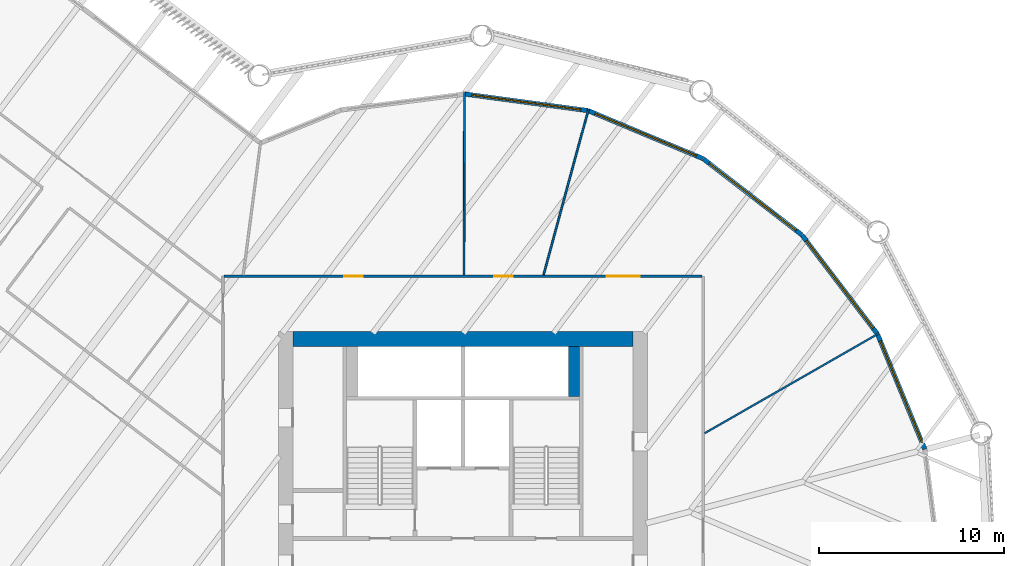
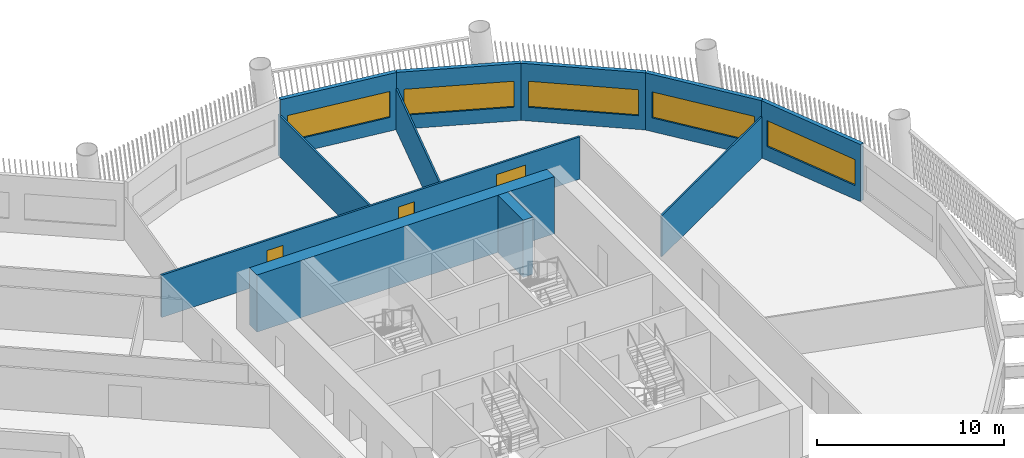
# One storey, part 7 of 16: 11 walls, 5 windows, 3 doors, 8 openings.
"""IFC4 building model written with IfcOpenShell, lengths in metres."""

import ifcopenshell
import ifcopenshell.guid

model = None  # the IFC model being written
_history = None  # IfcOwnerHistory: only IFC2X3 demands one
_inside = {}  # id of a spatial element -> (the spatial element, [elements in it])
_under = {}  # id of a project, library or spatial element -> (it, [spatial elements below it])
_declared = {}  # id of a project -> (the project, [libraries it declares])
_typed = {}  # id of a type object -> (the type object, [elements of that type])
_made_of = {}  # id of a material, layer set ... -> (it, [elements and type objects made of it])


def new_model(schema):
    """Start an empty IFC model of exactly this schema.

    Asked for "IFC4X3", IfcOpenShell would pick the latest addendum, in which some entities
    have other attributes; the version numbers below select the first issue.
    IFC2X3 requires an IfcOwnerHistory on every rooted entity: one is made here for all.
    """
    global model, _history
    if schema == "IFC4X3":
        model = ifcopenshell.file(schema_version=(4, 3, 0, 0))
    else:
        model = ifcopenshell.file(schema=schema)
    _inside.clear()
    _under.clear()
    _declared.clear()
    _typed.clear()
    _made_of.clear()
    _history = None
    if model.schema == "IFC2X3":
        org = make("IfcOrganization", Name="unknown")
        user = make(
            "IfcPersonAndOrganization",
            ThePerson=make("IfcPerson", FamilyName="unknown"),
            TheOrganization=org,
        )
        app = make(
            "IfcApplication",
            ApplicationDeveloper=org,
            Version="unknown",
            ApplicationFullName="unknown",
            ApplicationIdentifier="unknown",
        )
        _history = make(
            "IfcOwnerHistory",
            OwningUser=user,
            OwningApplication=app,
            ChangeAction="ADDED",
            CreationDate=0,
        )
    return model


def make(cls, **values):
    """One entity of the class cls with the attributes given. An attribute that is None is left unset."""
    return model.create_entity(
        cls, **{name: value for name, value in values.items() if value is not None}
    )


def rooted(cls, **values):
    """An entity with a GlobalId (a new one), such as an element, a storey or a relation."""
    return make(cls, GlobalId=ifcopenshell.guid.new(), OwnerHistory=_history, **values)


def si_unit(unit_type, name, prefix=None):
    """IfcSIUnit, for example si_unit("LENGTHUNIT", "METRE", prefix="MILLI")."""
    return make("IfcSIUnit", UnitType=unit_type, Prefix=prefix, Name=name)


def assignment(units):
    """IfcUnitAssignment: the units of a project."""
    return None if units is None else make("IfcUnitAssignment", Units=units)


def point(xyz):
    """IfcCartesianPoint."""
    return None if xyz is None else make("IfcCartesianPoint", Coordinates=xyz)


def direction(xyz):
    """IfcDirection."""
    return None if xyz is None else make("IfcDirection", DirectionRatios=xyz)


def frame(location, z_axis=None, x_axis=None):
    """IfcAxis2Placement3D, a coordinate frame: its origin and axes. An axis left out is left unset."""
    return make(
        "IfcAxis2Placement3D",
        Location=point(location),
        Axis=direction(z_axis),
        RefDirection=direction(x_axis),
    )


def frame_2d(location, x_axis=None):
    """IfcAxis2Placement2D, a coordinate frame in the plane: its origin and x axis."""
    return make(
        "IfcAxis2Placement2D", Location=point(location), RefDirection=direction(x_axis)
    )


def origin():
    """The frame at (0, 0, 0) with its axes left unset."""
    return frame((0.0, 0.0, 0.0))


def place(relative_to, where):
    """IfcLocalPlacement: puts the frame where relative to a parent placement (None: the world)."""
    return make(
        "IfcLocalPlacement", PlacementRelTo=relative_to, RelativePlacement=where
    )


def context(
    kind, dimensions, precision=None, world=None, true_north=None, identifier=None
):
    """IfcGeometricRepresentationContext, for example the 3D "Model" context."""
    return make(
        "IfcGeometricRepresentationContext",
        ContextIdentifier=identifier,
        ContextType=kind,
        CoordinateSpaceDimension=dimensions,
        Precision=precision,
        WorldCoordinateSystem=world,
        TrueNorth=true_north,
    )


def subcontext(parent, identifier, kind, view, scale=None):
    """IfcGeometricRepresentationSubContext, for example "Body" below "Model"."""
    return make(
        "IfcGeometricRepresentationSubContext",
        ContextIdentifier=identifier,
        ContextType=kind,
        ParentContext=parent,
        TargetScale=scale,
        TargetView=view,
    )


def project(units=None, contexts=None):
    """IfcProject with its units and contexts."""
    return rooted(
        "IfcProject",
        Name="project",
        RepresentationContexts=contexts,
        UnitsInContext=assignment(units),
    )


def spatial(cls, under=None, at=None, **own):
    """A site, building, storey or space (cls), placed at a placement, below another one or the project."""
    s = rooted(cls, ObjectPlacement=at, **own)
    if under is not None:
        _under.setdefault(under.id(), (under, []))[1].append(s)
    return s


def profile(cls, at=None, kind="AREA", **sizes):
    """A parametric profile (cls). Its sizes go by their IFC names, for example OverallWidth=200.0."""
    return make(cls, ProfileType=kind, Position=at, **sizes)


def rectangle(**sizes):
    """IfcRectangleProfileDef."""
    return profile("IfcRectangleProfileDef", **sizes)


def extrude(swept, where, along, depth):
    """IfcExtrudedAreaSolid: the profile swept, set in the frame where, extruded along a direction by depth."""
    return make(
        "IfcExtrudedAreaSolid",
        SweptArea=swept,
        Position=where,
        ExtrudedDirection=direction(along),
        Depth=depth,
    )


def shape(context_of_items, identifier, shape_type, items):
    """IfcShapeRepresentation: the items that make up one representation, for example the "Body"."""
    return make(
        "IfcShapeRepresentation",
        ContextOfItems=context_of_items,
        RepresentationIdentifier=identifier,
        RepresentationType=shape_type,
        Items=items,
    )


def material(Name=None, Category=None):
    """IfcMaterial."""
    return make("IfcMaterial", Name=Name, Category=Category)


def layer(
    of_material, thickness, ventilated=None, Name=None, Category=None, Priority=None
):
    """IfcMaterialLayer: one layer of a wall or slab, of a material (None: an air gap)."""
    return make(
        "IfcMaterialLayer",
        Material=of_material,
        LayerThickness=thickness,
        IsVentilated=ventilated,
        Name=Name,
        Category=Category,
        Priority=Priority,
    )


def layer_set(layers, Name=None):
    """IfcMaterialLayerSet."""
    return make("IfcMaterialLayerSet", MaterialLayers=layers, LayerSetName=Name)


def made_of(thing, what):
    """Note that an element or type object is made of a material, layer set ...; save() writes the relation."""
    if what is not None:
        _made_of.setdefault(what.id(), (what, []))[1].append(thing)
    return thing


def type_object(cls, material=None, **own):
    """A type object (cls), such as IfcWallType, which elements share."""
    return made_of(rooted(cls, **own), material)


def element(
    cls,
    number,
    at=None,
    inside=None,
    cuts=None,
    type_object=None,
    material=None,
    context=None,
    identifier="Body",
    shape_type=None,
    held_by="IfcProductDefinitionShape",
    body=None,
    shapes=None,
    **own,
):
    """One element of the class cls, such as IfcWall. Its Tag is "e" and its number.

    at: its placement. inside: the storey or other place that contains it. cuts: it is an
    opening in that element (IfcRelVoidsElement). A single representation is given by context,
    identifier, shape_type and body (its items); several are given by shapes. held_by: the class
    of the entity that holds the representations. save() writes the other relations.
    """
    e = rooted(cls, Tag="e%d" % number, ObjectPlacement=at, **own)
    if body is not None:
        shapes = [shape(context, identifier, shape_type, body)]
    if shapes is not None:
        e.Representation = make(held_by, Representations=shapes)
    if inside is not None:
        _inside.setdefault(inside.id(), (inside, []))[1].append(e)
    if cuts is not None:
        rooted(
            "IfcRelVoidsElement", RelatingBuildingElement=cuts, RelatedOpeningElement=e
        )
    if type_object is not None:
        _typed.setdefault(type_object.id(), (type_object, []))[1].append(e)
    return made_of(e, material)


def fill(opening, filler):
    """IfcRelFillsElement: the door or window that sits in an opening."""
    return rooted(
        "IfcRelFillsElement",
        RelatingOpeningElement=opening,
        RelatedBuildingElement=filler,
    )


def aggregate(whole, parts):
    """IfcRelAggregates: a whole, such as a stair, and the parts it consists of."""
    return rooted("IfcRelAggregates", RelatingObject=whole, RelatedObjects=parts)


def save(model, path):
    """Write the relations noted so far, then the file.

    IfcRelAggregates (storeys below a building ...), IfcRelContainedInSpatialStructure (elements
    in a storey), IfcRelDefinesByType, IfcRelAssociatesMaterial and IfcRelDeclares: one each for
    every whole, place, type object, material and project.
    """
    for whole, parts in _under.values():
        aggregate(whole, parts)
    for where, things in _inside.values():
        rooted(
            "IfcRelContainedInSpatialStructure",
            RelatedElements=things,
            RelatingStructure=where,
        )
    for kind, things in _typed.values():
        rooted("IfcRelDefinesByType", RelatedObjects=things, RelatingType=kind)
    for what, things in _made_of.values():
        rooted("IfcRelAssociatesMaterial", RelatedObjects=things, RelatingMaterial=what)
    for by, libraries in _declared.values():
        rooted("IfcRelDeclares", RelatingContext=by, RelatedDefinitions=libraries)
    model.write(path)


model = new_model("IFC4")

# Units and contexts
model_context = context("Model", 3, precision=1e-05, world=origin(), true_north=direction((0.0, 1.0)))
body_context = subcontext(model_context, "Body", "Model", "MODEL_VIEW")
ifc_project = project(units=[si_unit("LENGTHUNIT", "METRE"), si_unit("AREAUNIT", "SQUARE_METRE"), si_unit("VOLUMEUNIT", "CUBIC_METRE"), si_unit("PLANEANGLEUNIT", "RADIAN"), si_unit("MASSUNIT", "GRAM", prefix="KILO")], contexts=[model_context])

# Site, building, storey
site_placement = place(None, origin())
site = spatial("IfcSite", under=ifc_project, at=site_placement, CompositionType="ELEMENT")
building_placement = place(site_placement, origin())
building = spatial("IfcBuilding", under=site, at=building_placement, Name="Tarsis Ring Headquarters", CompositionType="ELEMENT")
storey_placement = place(building_placement, frame((0.0, 0.0, 120.10009765625)))
storey = spatial("IfcBuildingStorey", under=building, at=storey_placement, Name="L27", CompositionType="ELEMENT", Elevation=120.10009765625)

# Walls
ifc_material_1 = material(Name="Concrete C60/75", Category="concrete")
ifc_layer_1 = layer(ifc_material_1, 0.800048828125)
ifc_layer_set_1 = layer_set([ifc_layer_1], Name="Core wall 800 C60/75")
wall_type_1 = type_object("IfcWallType", Name="Core wall 800 C60/75", PredefinedType="SHEAR", material=ifc_layer_set_1)
wall_1_placement = place(storey_placement, frame((-9.199951171875, 12.60009765625, 0.0), z_axis=(0.0, 0.0, 1.0), x_axis=(1.0, 0.0, 0.0)))
element("IfcWall", 1, at=wall_1_placement, inside=storey, type_object=wall_type_1, Name="Core wall ON", PredefinedType="SHEAR", context=body_context, shape_type="SweptSolid", body=[
    extrude(rectangle(XDim=18.39990234375, YDim=0.800048828125, at=frame_2d((9.199951171875, 0.0))), origin(), (0.0, 0.0, 1.0), 3.739990234375),
])
ifc_material_2 = material(Name="Gypsum board on steel studs", Category="steel")
ifc_layer_2 = layer(ifc_material_2, 0.10009765625)
ifc_layer_set_2 = layer_set([ifc_layer_2], Name="FL partition 100 unrated")
wall_type_2 = type_object("IfcWallType", Name="FL partition 100 unrated", PredefinedType="PARTITIONING", material=ifc_layer_set_2)
wall_2_placement = place(storey_placement, frame((13.078125, 7.49609375, 0.0), z_axis=(0.0, 0.0, 1.0), x_axis=(0.867595782947, 0.497270105086, 0.0)))
element("IfcWall", 2, at=wall_2_placement, inside=storey, type_object=wall_type_2, Name="Partition PW3", PredefinedType="PARTITIONING", context=body_context, shape_type="SweptSolid", body=[
    extrude(rectangle(XDim=10.873779296875, YDim=0.10009765625, at=frame_2d((5.43701171875, 0.0))), origin(), (0.0, 0.0, 1.0), 2.699951171875),
])
wall_3_placement = place(storey_placement, frame((0.050537109375, 16.070068359375, 0.0), z_axis=(0.0, 0.0, 1.0), x_axis=(0.003138964738, 0.999995073438, 0.0)))
element("IfcWall", 3, at=wall_3_placement, inside=storey, type_object=wall_type_2, Name="Partition PW3", PredefinedType="PARTITIONING", context=body_context, shape_type="SweptSolid", body=[
    extrude(rectangle(XDim=9.877685546875, YDim=0.10009765625, at=frame_2d((4.93896484375, 0.0))), origin(), (0.0, 0.0, 1.0), 2.699951171875),
])
wall_4_placement = place(storey_placement, frame((4.359375, 16.067626953125, 0.0), z_axis=(0.0, 0.0, 1.0), x_axis=(0.261853171235, 0.965107722855, 0.0)))
element("IfcWall", 4, at=wall_4_placement, inside=storey, type_object=wall_type_2, Name="Partition PW3", PredefinedType="PARTITIONING", context=body_context, shape_type="SweptSolid", body=[
    extrude(rectangle(XDim=9.29931640625, YDim=0.10009765625, at=frame_2d((4.649658203125, 0.0))), origin(), (0.0, 0.0, 1.0), 2.699951171875),
])

# Wall, openings, doors
ifc_layer_3 = layer(ifc_material_2, 0.125)
ifc_layer_set_3 = layer_set([ifc_layer_3], Name="FL partition 125 EI 60 H2770")
wall_type_3 = type_object("IfcWallType", Name="FL partition 125 EI 60 H2770", PredefinedType="PARTITIONING", material=ifc_layer_set_3)
wall_5_placement = place(storey_placement, frame((-12.93994140625, 16.0, 0.0), z_axis=(0.0, 0.0, 1.0), x_axis=(1.0, 0.0, 0.0)))
wall_5 = element("IfcWall", 5, at=wall_5_placement, inside=storey, type_object=wall_type_3, Name="Partition PW1", PredefinedType="PARTITIONING", context=body_context, shape_type="SweptSolid", body=[
    extrude(rectangle(XDim=25.8798828125, YDim=0.125, at=frame_2d((12.93994140625, 0.0))), origin(), (0.0, 0.0, 1.0), 2.77001953125),
])
opening_1_placement = place(wall_5_placement, frame((6.50830078125, 0.0, 0.0)))
opening_1 = element("IfcOpeningElement", 6, at=opening_1_placement, cuts=wall_5, Name="Opening D27.04", PredefinedType="OPENING", context=body_context, shape_type="SweptSolid", body=[
    extrude(rectangle(XDim=1.0, YDim=2.10009765625, at=frame_2d((0.5, 1.050048828125))), frame((0.0, 0.072509765625, 0.0), z_axis=(0.0, -1.0, 0.0), x_axis=(1.0, 0.0, 0.0)), (0.0, 0.0, 1.0), 0.14501953125),
])
opening_2_placement = place(wall_5_placement, frame((14.6357421875, 0.0, 0.0)))
opening_2 = element("IfcOpeningElement", 7, at=opening_2_placement, cuts=wall_5, Name="Opening D27.05", PredefinedType="OPENING", context=body_context, shape_type="SweptSolid", body=[
    extrude(rectangle(XDim=1.0, YDim=2.10009765625, at=frame_2d((0.5, 1.050048828125))), frame((0.0, 0.072509765625, 0.0), z_axis=(0.0, -1.0, 0.0), x_axis=(1.0, 0.0, 0.0)), (0.0, 0.0, 1.0), 0.14501953125),
])
opening_3_placement = place(wall_5_placement, frame((20.710693359375, 0.0, 0.0)))
opening_3 = element("IfcOpeningElement", 8, at=opening_3_placement, cuts=wall_5, Name="Opening D27.06", PredefinedType="OPENING", context=body_context, shape_type="SweptSolid", body=[
    extrude(rectangle(XDim=1.800048828125, YDim=2.10009765625, at=frame_2d((0.89990234375, 1.050048828125))), frame((0.0, 0.072509765625, 0.0), z_axis=(0.0, -1.0, 0.0), x_axis=(1.0, 0.0, 0.0)), (0.0, 0.0, 1.0), 0.14501953125),
])
ifc_material_3 = material(Name="Fire-rated timber door leaf in steel frame", Category="steel")
door_type_1 = type_object("IfcDoorType", Name="FL door FD60-1000", OperationType="NOTDEFINED", PredefinedType="DOOR", material=ifc_material_3)
door_1_placement = place(opening_1_placement, origin())
door_1 = element("IfcDoor", 9, at=door_1_placement, inside=storey, type_object=door_type_1, Name="Door D27.04", OperationType="SINGLE_SWING_LEFT", OverallHeight=2.10009765625, OverallWidth=1.0, PredefinedType="DOOR", context=body_context, shape_type="SweptSolid", body=[
    extrude(rectangle(XDim=1.0, YDim=2.10009765625, at=frame_2d((0.5, 1.050048828125))), frame((0.0, 0.02490234375, 0.0), z_axis=(0.0, -1.0, 0.0), x_axis=(1.0, 0.0, 0.0)), (0.0, 0.0, 1.0), 0.050048828125),
])
fill(opening_1, door_1)
door_2_placement = place(opening_2_placement, origin())
door_2 = element("IfcDoor", 10, at=door_2_placement, inside=storey, type_object=door_type_1, Name="Door D27.05", OperationType="SINGLE_SWING_RIGHT", OverallHeight=2.10009765625, OverallWidth=1.0, PredefinedType="DOOR", context=body_context, shape_type="SweptSolid", body=[
    extrude(rectangle(XDim=1.0, YDim=2.10009765625, at=frame_2d((0.5, 1.050048828125))), frame((0.0, 0.02490234375, 0.0), z_axis=(0.0, -1.0, 0.0), x_axis=(1.0, 0.0, 0.0)), (0.0, 0.0, 1.0), 0.050048828125),
])
fill(opening_2, door_2)
door_type_2 = type_object("IfcDoorType", Name="FL door FD60-1800", OperationType="DOUBLE_DOOR_SINGLE_SWING", PredefinedType="DOOR", material=ifc_material_3)
door_3_placement = place(opening_3_placement, origin())
door_3 = element("IfcDoor", 11, at=door_3_placement, inside=storey, type_object=door_type_2, Name="Door D27.06", OperationType="DOUBLE_DOOR_SINGLE_SWING", OverallHeight=2.10009765625, OverallWidth=1.800048828125, PredefinedType="DOOR", context=body_context, shape_type="SweptSolid", body=[
    extrude(rectangle(XDim=1.800048828125, YDim=2.10009765625, at=frame_2d((0.89990234375, 1.050048828125))), frame((0.0, 0.02490234375, 0.0), z_axis=(0.0, -1.0, 0.0), x_axis=(1.0, 0.0, 0.0)), (0.0, 0.0, 1.0), 0.050048828125),
])
fill(opening_3, door_3)

# Wall, opening, window
ifc_material_4 = material(Name="Terracotta clad insulated panel wall", Category="masonry")
ifc_layer_4 = layer(ifc_material_4, 0.25)
ifc_layer_set_4 = layer_set([ifc_layer_4], Name="Facade wall terracotta panel 250")
wall_type_4 = type_object("IfcWallType", Name="Facade wall terracotta panel 250", PredefinedType="STANDARD", material=ifc_layer_set_4)
wall_6_placement = place(storey_placement, frame((25.0068359375, 6.63330078125, 0.0), z_axis=(0.0, 0.0, 1.0), x_axis=(-0.379748465257, 0.925089781121, 0.0)))
wall_6 = element("IfcWall", 12, at=wall_6_placement, inside=storey, type_object=wall_type_4, Name="External wall L27-24", PredefinedType="STANDARD", context=body_context, shape_type="SweptSolid", body=[
    extrude(rectangle(XDim=6.721435546875, YDim=0.25, at=frame_2d((3.36083984375, 0.0))), origin(), (0.0, 0.0, 1.0), 3.739990234375),
])
opening_4_placement = place(wall_6_placement, frame((0.3857421875, 0.0, 0.89990234375)))
opening_4 = element("IfcOpeningElement", 13, at=opening_4_placement, cuts=wall_6, Name="Opening WN07", PredefinedType="OPENING", context=body_context, shape_type="SweptSolid", body=[
    extrude(rectangle(XDim=5.949951171875, YDim=1.699951171875, at=frame_2d((2.97509765625, 0.85009765625))), frame((0.0, 0.135009765625, 0.0), z_axis=(0.0, -1.0, 0.0), x_axis=(1.0, 0.0, 0.0)), (0.0, 0.0, 1.0), 0.27001953125),
])
ifc_material_5 = material(Name="Aluminium framed double glazing", Category="aluminium")
window_type = type_object("IfcWindowType", Name="Facade window 5950 x 1700", PartitioningType="SINGLE_PANEL", PredefinedType="WINDOW", material=ifc_material_5)
window_1_placement = place(opening_4_placement, origin())
window_1 = element("IfcWindow", 14, at=window_1_placement, inside=storey, type_object=window_type, Name="Window L27-24.1", OverallHeight=1.699951171875, OverallWidth=5.949951171875, PartitioningType="SINGLE_PANEL", PredefinedType="WINDOW", context=body_context, shape_type="SweptSolid", body=[
    extrude(rectangle(XDim=5.949951171875, YDim=1.699951171875, at=frame_2d((2.97509765625, 0.85009765625))), frame((0.0, 0.030029296875, 0.0), z_axis=(0.0, -1.0, 0.0), x_axis=(1.0, 0.0, 0.0)), (0.0, 0.0, 1.0), 0.06005859375),
])
fill(opening_4, window_1)

wall_7_placement = place(storey_placement, frame((22.43798828125, 12.879638671875, 0.0), z_axis=(0.0, 0.0, 1.0), x_axis=(-0.606269728334, 0.79525908766, 0.0)))
wall_7 = element("IfcWall", 15, at=wall_7_placement, inside=storey, type_object=wall_type_4, Name="External wall L27-25", PredefinedType="STANDARD", context=body_context, shape_type="SweptSolid", body=[
    extrude(rectangle(XDim=6.721435546875, YDim=0.25, at=frame_2d((3.36083984375, 0.0))), origin(), (0.0, 0.0, 1.0), 3.739990234375),
])
opening_5_placement = place(wall_7_placement, frame((0.3857421875, 0.0, 0.89990234375)))
opening_5 = element("IfcOpeningElement", 16, at=opening_5_placement, cuts=wall_7, Name="Opening WN07", PredefinedType="OPENING", context=body_context, shape_type="SweptSolid", body=[
    extrude(rectangle(XDim=5.949951171875, YDim=1.699951171875, at=frame_2d((2.97509765625, 0.85009765625))), frame((0.0, 0.135009765625, 0.0), z_axis=(0.0, -1.0, 0.0), x_axis=(1.0, 0.0, 0.0)), (0.0, 0.0, 1.0), 0.27001953125),
])
window_2_placement = place(opening_5_placement, origin())
window_2 = element("IfcWindow", 17, at=window_2_placement, inside=storey, type_object=window_type, Name="Window L27-25.1", OverallHeight=1.699951171875, OverallWidth=5.949951171875, PartitioningType="SINGLE_PANEL", PredefinedType="WINDOW", context=body_context, shape_type="SweptSolid", body=[
    extrude(rectangle(XDim=5.949951171875, YDim=1.699951171875, at=frame_2d((2.97509765625, 0.85009765625))), frame((0.0, 0.030029296875, 0.0), z_axis=(0.0, -1.0, 0.0), x_axis=(1.0, 0.0, 0.0)), (0.0, 0.0, 1.0), 0.06005859375),
])
fill(opening_5, window_2)

wall_8_placement = place(storey_placement, frame((18.340087890625, 18.248046875, 0.0), z_axis=(0.0, 0.0, 1.0), x_axis=(-0.791438343003, 0.611249007545, 0.0)))
wall_8 = element("IfcWall", 18, at=wall_8_placement, inside=storey, type_object=wall_type_4, Name="External wall L27-26", PredefinedType="STANDARD", context=body_context, shape_type="SweptSolid", body=[
    extrude(rectangle(XDim=6.7216796875, YDim=0.25, at=frame_2d((3.36083984375, 0.0))), origin(), (0.0, 0.0, 1.0), 3.739990234375),
])
opening_6_placement = place(wall_8_placement, frame((0.3857421875, 0.0, 0.89990234375)))
opening_6 = element("IfcOpeningElement", 19, at=opening_6_placement, cuts=wall_8, Name="Opening WN07", PredefinedType="OPENING", context=body_context, shape_type="SweptSolid", body=[
    extrude(rectangle(XDim=5.949951171875, YDim=1.699951171875, at=frame_2d((2.97509765625, 0.85009765625))), frame((0.0, 0.135009765625, 0.0), z_axis=(0.0, -1.0, 0.0), x_axis=(1.0, 0.0, 0.0)), (0.0, 0.0, 1.0), 0.27001953125),
])
window_3_placement = place(opening_6_placement, origin())
window_3 = element("IfcWindow", 20, at=window_3_placement, inside=storey, type_object=window_type, Name="Window L27-26.1", OverallHeight=1.699951171875, OverallWidth=5.949951171875, PartitioningType="SINGLE_PANEL", PredefinedType="WINDOW", context=body_context, shape_type="SweptSolid", body=[
    extrude(rectangle(XDim=5.949951171875, YDim=1.699951171875, at=frame_2d((2.97509765625, 0.85009765625))), frame((0.0, 0.030029296875, 0.0), z_axis=(0.0, -1.0, 0.0), x_axis=(1.0, 0.0, 0.0)), (0.0, 0.0, 1.0), 0.06005859375),
])
fill(opening_6, window_3)

wall_9_placement = place(storey_placement, frame((12.9921875, 22.373046875, 0.0), z_axis=(0.0, 0.0, 1.0), x_axis=(-0.922671288243, 0.38558746589, 0.0)))
wall_9 = element("IfcWall", 21, at=wall_9_placement, inside=storey, type_object=wall_type_4, Name="External wall L27-27", PredefinedType="STANDARD", context=body_context, shape_type="SweptSolid", body=[
    extrude(rectangle(XDim=6.7216796875, YDim=0.25, at=frame_2d((3.36083984375, 0.0))), origin(), (0.0, 0.0, 1.0), 3.739990234375),
])
opening_7_placement = place(wall_9_placement, frame((0.3857421875, 0.0, 0.89990234375)))
opening_7 = element("IfcOpeningElement", 22, at=opening_7_placement, cuts=wall_9, Name="Opening WN07", PredefinedType="OPENING", context=body_context, shape_type="SweptSolid", body=[
    extrude(rectangle(XDim=5.949951171875, YDim=1.699951171875, at=frame_2d((2.97509765625, 0.85009765625))), frame((0.0, 0.135009765625, 0.0), z_axis=(0.0, -1.0, 0.0), x_axis=(1.0, 0.0, 0.0)), (0.0, 0.0, 1.0), 0.27001953125),
])
window_4_placement = place(opening_7_placement, origin())
window_4 = element("IfcWindow", 23, at=window_4_placement, inside=storey, type_object=window_type, Name="Window L27-27.1", OverallHeight=1.699951171875, OverallWidth=5.949951171875, PartitioningType="SINGLE_PANEL", PredefinedType="WINDOW", context=body_context, shape_type="SweptSolid", body=[
    extrude(rectangle(XDim=5.949951171875, YDim=1.699951171875, at=frame_2d((2.97509765625, 0.85009765625))), frame((0.0, 0.030029296875, 0.0), z_axis=(0.0, -1.0, 0.0), x_axis=(1.0, 0.0, 0.0)), (0.0, 0.0, 1.0), 0.06005859375),
])
fill(opening_7, window_4)

wall_10_placement = place(storey_placement, frame((6.7587890625, 24.973388671875, 0.0), z_axis=(0.0, 0.0, 1.0), x_axis=(-0.99103108298, 0.133631555281, 0.0)))
wall_10 = element("IfcWall", 24, at=wall_10_placement, inside=storey, type_object=wall_type_4, Name="External wall L27-28", PredefinedType="STANDARD", context=body_context, shape_type="SweptSolid", body=[
    extrude(rectangle(XDim=6.721435546875, YDim=0.25, at=frame_2d((3.36083984375, 0.0))), origin(), (0.0, 0.0, 1.0), 3.739990234375),
])
opening_8_placement = place(wall_10_placement, frame((0.3857421875, 0.0, 0.89990234375)))
opening_8 = element("IfcOpeningElement", 25, at=opening_8_placement, cuts=wall_10, Name="Opening WN07", PredefinedType="OPENING", context=body_context, shape_type="SweptSolid", body=[
    extrude(rectangle(XDim=5.949951171875, YDim=1.699951171875, at=frame_2d((2.97509765625, 0.85009765625))), frame((0.0, 0.135009765625, 0.0), z_axis=(0.0, -1.0, 0.0), x_axis=(1.0, 0.0, 0.0)), (0.0, 0.0, 1.0), 0.27001953125),
])
window_5_placement = place(opening_8_placement, origin())
window_5 = element("IfcWindow", 26, at=window_5_placement, inside=storey, type_object=window_type, Name="Window L27-28.1", OverallHeight=1.699951171875, OverallWidth=5.949951171875, PartitioningType="SINGLE_PANEL", PredefinedType="WINDOW", context=body_context, shape_type="SweptSolid", body=[
    extrude(rectangle(XDim=5.949951171875, YDim=1.699951171875, at=frame_2d((2.97509765625, 0.85009765625))), frame((0.0, 0.030029296875, 0.0), z_axis=(0.0, -1.0, 0.0), x_axis=(1.0, 0.0, 0.0)), (0.0, 0.0, 1.0), 0.06005859375),
])
fill(opening_8, window_5)

# Wall
ifc_material_6 = material(Name="Concrete C32/40", Category="concrete")
ifc_layer_5 = layer(ifc_material_6, 0.60009765625)
ifc_layer_set_5 = layer_set([ifc_layer_5], Name="Shaft end wall 600 C32/40")
wall_type_5 = type_object("IfcWallType", Name="Shaft end wall 600 C32/40", PredefinedType="SOLIDWALL", material=ifc_layer_set_5)
wall_11_placement = place(storey_placement, frame((6.0, 9.5, 0.0), z_axis=(0.0, 0.0, 1.0), x_axis=(0.0, 1.0, 0.0)))
element("IfcWall", 27, at=wall_11_placement, inside=storey, type_object=wall_type_5, Name="Core shaft wall NNE2", PredefinedType="SOLIDWALL", context=body_context, shape_type="SweptSolid", body=[
    extrude(rectangle(XDim=2.699951171875, YDim=0.60009765625, at=frame_2d((1.35009765625, 0.0))), origin(), (0.0, 0.0, 1.0), 3.739990234375),
])

save(model, "model.ifc")
